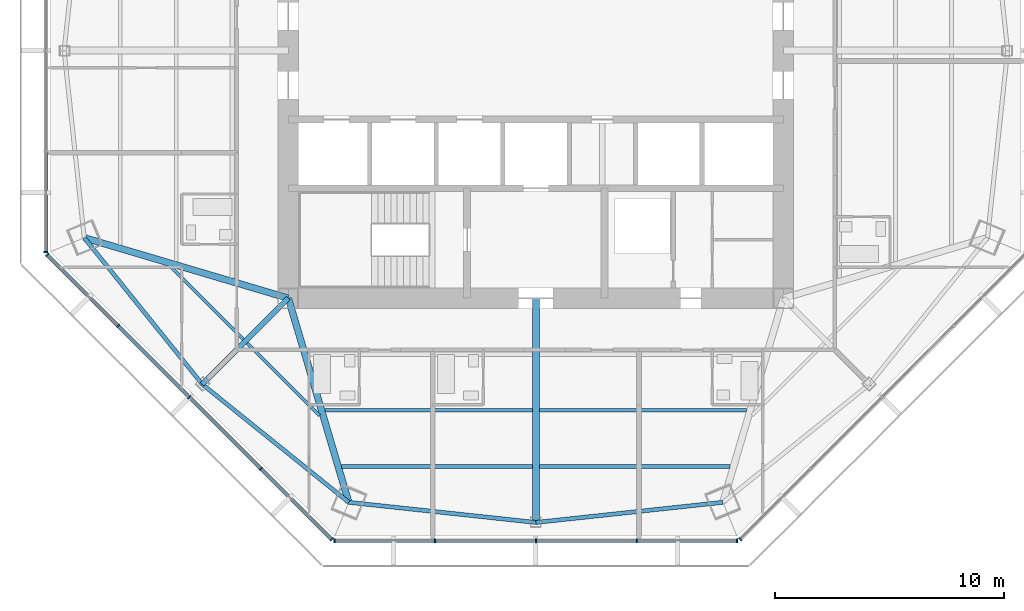
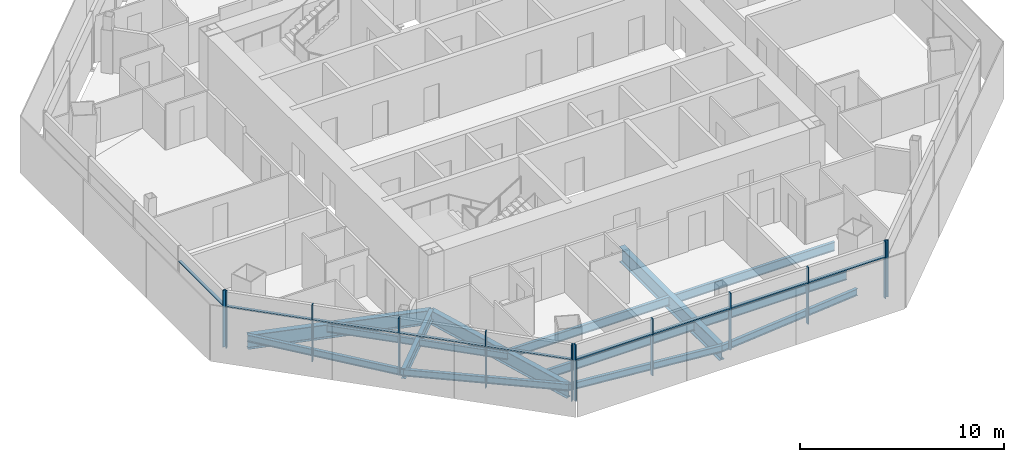
# One storey, part 2 of 15: 21 members, 14 beams, 4 elements without a shape of their own.
"""IFC4 building model written with IfcOpenShell, lengths in metres."""

from ifc_helpers import new_model, si_unit, direction, frame, origin, origin_2d, place, context, subcontext, project, spatial, rectangle, i_section, extrude, source, transform, mapped, material, material_profile, profile_set, type_object, type_shapes, element, aggregate, save


model = new_model("IFC4")

# Units and contexts
model_context = context("Model", 3, precision=1e-05, world=origin(), true_north=direction((0.0, 1.0)))
body_context = subcontext(model_context, "Body", "Model", "MODEL_VIEW")
ifc_project = project(units=[si_unit("LENGTHUNIT", "METRE"), si_unit("AREAUNIT", "SQUARE_METRE"), si_unit("VOLUMEUNIT", "CUBIC_METRE"), si_unit("PLANEANGLEUNIT", "RADIAN"), si_unit("MASSUNIT", "GRAM", prefix="KILO")], contexts=[model_context])

# Site, building, storey
site_placement = place(None, origin())
site = spatial("IfcSite", under=ifc_project, at=site_placement, CompositionType="ELEMENT")
building_placement = place(site_placement, origin())
building = spatial("IfcBuilding", under=site, at=building_placement, Name="Mashrafa Tower", CompositionType="ELEMENT")
storey_placement = place(building_placement, frame((0.0, 0.0, 234.60009765625)))
storey = spatial("IfcBuildingStorey", under=building, at=storey_placement, Name="L55", CompositionType="ELEMENT", Elevation=234.60009765625)

# Beams
ifc_material_1 = material(Name="Steel ASTM A992", Category="steel")
ifc_material_profile_1 = material_profile(ifc_material_1, i_section(OverallWidth=0.140380859375, OverallDepth=0.40380859375, WebThickness=0.007080078125, FlangeThickness=0.01123046875, FilletRadius=0.01025390625, at=origin_2d()), Name="W16X31")
ifc_profile_set_1 = profile_set([ifc_material_profile_1], Name="Steel ASTM A992")
beam_type_1 = type_object("IfcBeamType", Name="Beam W16X31", PredefinedType="BEAM", material=ifc_profile_set_1)
for number, where, z_axis, x_axis, name in (
    (1, (-12.75830078125, -12.5966796875, -0.402099609375), (-0.707106781187, 0.707106781187, 0.0), (-0.707106781187, -0.707106781187, 0.0), "Floor beam L55 008"),
    (2, (-9.436279296875, -15.918701171875, -0.402099609375), (-0.707106781187, 0.707106781187, 0.0), (-0.707106781187, -0.707106781187, 0.0), "Floor beam L55 012"),
):
    element("IfcBeam", number, at=place(storey_placement, frame(where, z_axis=z_axis, x_axis=x_axis)), inside=storey, type_object=beam_type_1, Name=name, PredefinedType="BEAM", context=body_context, shape_type="SweptSolid", body=[
        extrude(i_section(OverallWidth=0.140380859375, OverallDepth=0.40380859375, WebThickness=0.007080078125, FlangeThickness=0.01123046875, FilletRadius=0.01025390625, at=origin_2d()), origin(), (0.0, 0.0, 1.0), 4.469482421875),
    ])
ifc_material_2 = material(Name="Steel ASTM A992", Category="steel")
ifc_material_profile_2 = material_profile(ifc_material_2, i_section(OverallWidth=0.177734375, OverallDepth=0.406494140625, WebThickness=0.0078125, FlangeThickness=0.012939453125, FilletRadius=0.01025390625, at=origin_2d()), Name="W16X40")
ifc_profile_set_2 = profile_set([ifc_material_profile_2], Name="Steel ASTM A992")
beam_type_2 = type_object("IfcBeamType", Name="Beam W16X40", PredefinedType="BEAM", material=ifc_profile_set_2)
for number, where, z_axis, x_axis, name in (
    (3, (-19.705810546875, -8.162353515625, -0.4033203125), (0.627425720942, -0.778676418482, 0.0), (0.778676418482, 0.627425720942, 0.0), "Spandrel beam L55 050"),
    (4, (-14.554931640625, -14.554931640625, -0.4033203125), (0.778676418482, -0.627425720942, 0.0), (0.627425720942, 0.778676418482, 0.0), "Spandrel beam L55 052"),
    (5, (-8.162353515625, -19.705810546875, -0.4033203125), (0.994262142726, -0.106970984578, 0.0), (0.106970984578, 0.994262142726, 0.0), "Spandrel beam L55 054"),
    (6, (0.0, -20.583984375, -0.4033203125), (0.994262142726, 0.106970984578, 0.0), (-0.106970984578, 0.994262142726, 0.0), "Spandrel beam L55 056"),
):
    element("IfcBeam", number, at=place(storey_placement, frame(where, z_axis=z_axis, x_axis=x_axis)), inside=storey, type_object=beam_type_2, Name=name, PredefinedType="BEAM", context=body_context, shape_type="SweptSolid", body=[
        extrude(i_section(OverallWidth=0.177734375, OverallDepth=0.406494140625, WebThickness=0.0078125, FlangeThickness=0.012939453125, FilletRadius=0.01025390625, at=origin_2d()), origin(), (0.0, 0.0, 1.0), 8.20947265625),
    ])
ifc_material_3 = material(Name="Steel ASTM A992", Category="steel")
ifc_material_profile_3 = material_profile(ifc_material_3, i_section(OverallWidth=0.1650390625, OverallDepth=0.52587890625, WebThickness=0.0087890625, FlangeThickness=0.011474609375, FilletRadius=0.0126953125, at=origin_2d()), Name="W21X44")
ifc_profile_set_3 = profile_set([ifc_material_profile_3], Name="Steel ASTM A992")
beam_type_3 = type_object("IfcBeamType", Name="Beam W21X44", PredefinedType="BEAM", material=ifc_profile_set_3)
for number, where, z_axis, x_axis, name in (
    (7, (-0.15380859375, -15.69189453125, -0.462890625), (-1.0, 0.0, 0.0), (0.0, -1.0, 0.0), "Floor beam L55 015"),
    (8, (9.198974609375, -15.69189453125, -0.462890625), (-1.0, 0.0, 0.0), (0.0, -1.0, 0.0), "Floor beam L55 022"),
):
    element("IfcBeam", number, at=place(storey_placement, frame(where, z_axis=z_axis, x_axis=x_axis)), inside=storey, type_object=beam_type_3, Name=name, PredefinedType="BEAM", context=body_context, shape_type="SweptSolid", body=[
        extrude(i_section(OverallWidth=0.1650390625, OverallDepth=0.52587890625, WebThickness=0.0087890625, FlangeThickness=0.011474609375, FilletRadius=0.0126953125, at=origin_2d()), origin(), (0.0, 0.0, 1.0), 9.045166015625),
    ])
ifc_material_4 = material(Name="Steel ASTM A992", Category="steel")
ifc_material_profile_4 = material_profile(ifc_material_4, i_section(OverallWidth=0.165771484375, OverallDepth=0.5283203125, WebThickness=0.009765625, FlangeThickness=0.013671875, FilletRadius=0.012939453125, at=origin_2d()), Name="W21X50")
ifc_profile_set_4 = profile_set([ifc_material_profile_4], Name="Steel ASTM A992")
beam_type_4 = type_object("IfcBeamType", Name="Beam W21X50", PredefinedType="BEAM", material=ifc_profile_set_4)
for number, where, z_axis, x_axis, name in (
    (9, (-0.15380859375, -18.137939453125, -0.46435546875), (-1.0, 0.0, 0.0), (0.0, -1.0, 0.0), "Floor beam L55 014"),
    (10, (8.474365234375, -18.137939453125, -0.46435546875), (-1.0, 0.0, 0.0), (0.0, -1.0, 0.0), "Floor beam L55 020"),
):
    element("IfcBeam", number, at=place(storey_placement, frame(where, z_axis=z_axis, x_axis=x_axis)), inside=storey, type_object=beam_type_4, Name=name, PredefinedType="BEAM", context=body_context, shape_type="SweptSolid", body=[
        extrude(i_section(OverallWidth=0.165771484375, OverallDepth=0.5283203125, WebThickness=0.009765625, FlangeThickness=0.013671875, FilletRadius=0.012939453125, at=origin_2d()), origin(), (0.0, 0.0, 1.0), 8.320556640625),
    ])
ifc_material_5 = material(Name="Steel ASTM A992", Category="steel")
ifc_material_profile_5 = material_profile(ifc_material_5, i_section(OverallWidth=0.228271484375, OverallDepth=0.607177734375, WebThickness=0.01123046875, FlangeThickness=0.017333984375, FilletRadius=0.0126953125, at=origin_2d()), Name="W24X76")
ifc_profile_set_5 = profile_set([ifc_material_profile_5], Name="Steel ASTM A992")
beam_type_5 = type_object("IfcBeamType", Name="Beam W24X76", PredefinedType="BEAM", material=ifc_profile_set_5)
beam_1_placement = place(storey_placement, frame((-10.800048828125, -10.800048828125, -0.503662109375), z_axis=(-0.707106781187, -0.707106781187, 0.0), x_axis=(0.707106781187, -0.707106781187, 0.0)))
element("IfcBeam", 11, at=beam_1_placement, inside=storey, type_object=beam_type_5, Name="Radial girder L55 034", PredefinedType="BEAM", context=body_context, shape_type="SweptSolid", body=[
    extrude(i_section(OverallWidth=0.228271484375, OverallDepth=0.607177734375, WebThickness=0.01123046875, FlangeThickness=0.017333984375, FilletRadius=0.0126953125, at=origin_2d()), origin(), (0.0, 0.0, 1.0), 5.310302734375),
])
ifc_material_6 = material(Name="Steel ASTM A992", Category="steel")
ifc_material_profile_6 = material_profile(ifc_material_6, i_section(OverallWidth=0.2919921875, OverallDepth=0.845703125, WebThickness=0.015380859375, FlangeThickness=0.0244140625, FilletRadius=0.017333984375, at=origin_2d()), Name="W33X141")
ifc_profile_set_6 = profile_set([ifc_material_profile_6], Name="Steel ASTM A992")
beam_type_6 = type_object("IfcBeamType", Name="Beam W33X141", PredefinedType="BEAM", material=ifc_profile_set_6)
for number, where, z_axis, x_axis, name in (
    (12, (-10.800048828125, -10.800048828125, -0.623046875), (-0.958828866985, 0.283984513375, 0.0), (-0.283984513375, -0.958828866985, 0.0), "Radial girder L55 033"),
    (13, (-10.800048828125, -10.800048828125, -0.623046875), (0.283984513375, -0.958828866985, 0.0), (0.958828866985, 0.283984513375, 0.0), "Radial girder L55 035"),
):
    element("IfcBeam", number, at=place(storey_placement, frame(where, z_axis=z_axis, x_axis=x_axis)), inside=storey, type_object=beam_type_6, Name=name, PredefinedType="BEAM", context=body_context, shape_type="SweptSolid", body=[
        extrude(i_section(OverallWidth=0.2919921875, OverallDepth=0.845703125, WebThickness=0.015380859375, FlangeThickness=0.0244140625, FilletRadius=0.017333984375, at=origin_2d()), origin(), (0.0, 0.0, 1.0), 9.2880859375),
    ])
ifc_material_7 = material(Name="Steel ASTM A992", Category="steel")
ifc_material_profile_7 = material_profile(ifc_material_7, i_section(OverallWidth=0.307373046875, OverallDepth=0.927001953125, WebThickness=0.01953125, FlangeThickness=0.031982421875, FilletRadius=0.01904296875, at=origin_2d()), Name="W36X194")
ifc_profile_set_7 = profile_set([ifc_material_profile_7], Name="Steel ASTM A992")
beam_type_7 = type_object("IfcBeamType", Name="Beam W36X194", PredefinedType="BEAM", material=ifc_profile_set_7)
beam_2_placement = place(storey_placement, frame((0.0, -10.800048828125, -0.66357421875), z_axis=(0.0, -1.0, 0.0), x_axis=(1.0, 0.0, 0.0)))
element("IfcBeam", 14, at=beam_2_placement, inside=storey, type_object=beam_type_7, Name="Radial girder L55 040", PredefinedType="BEAM", context=body_context, shape_type="SweptSolid", body=[
    extrude(i_section(OverallWidth=0.307373046875, OverallDepth=0.927001953125, WebThickness=0.01953125, FlangeThickness=0.031982421875, FilletRadius=0.01904296875, at=origin_2d()), origin(), (0.0, 0.0, 1.0), 9.783935546875),
])

# Curtain wall, member
ifc_material_8 = material(Name="Unitised aluminium curtain wall", Category="aluminium")
curtain_wall_type = type_object("IfcCurtainWallType", Name="Apartment curtain wall, zone 3 CW-C 180 deep", PredefinedType="NOTDEFINED", material=ifc_material_8)
curtain_wall_1_placement = place(storey_placement, origin())
curtain_wall_1 = element("IfcCurtainWall", 15, at=curtain_wall_1_placement, inside=storey, type_object=curtain_wall_type, Name="Apartment curtain wall, zone 3 L55 west", PredefinedType="NOTDEFINED")
ifc_material_9 = material(Name="Extruded aluminium mullion", Category="aluminium")
ifc_material_profile_8 = material_profile(ifc_material_9, rectangle(XDim=0.179931640625, YDim=0.06005859375, at=origin_2d()), Name="Mullion 60x180")
ifc_profile_set_8 = profile_set([ifc_material_profile_8], Name="Extruded aluminium mullion")
member_type_1 = type_object("IfcMemberType", Name="Mullion CW-C 60 x 180", PredefinedType="MULLION", material=ifc_profile_set_8)
shared_shape_1 = source(origin(), body_context, "Body", "SweptSolid", [
    extrude(rectangle(XDim=0.179931640625, YDim=0.06005859375, at=origin_2d()), origin(), (0.0, 0.0, 1.0), 3.39990234375),
])
type_shapes(member_type_1, [shared_shape_1])
member_1_placement = place(storey_placement, frame((-21.378173828125, -8.77783203125, 0.0), z_axis=(0.0, 0.0, 1.0), x_axis=(1.0, 0.0, 0.0)))
member_1 = element("IfcMember", 16, at=member_1_placement, type_object=member_type_1, Name="CW-C mullion 5", PredefinedType="MULLION", context=body_context, shape_type="MappedRepresentation", body=[
    mapped(shared_shape_1, transform((0.0, 0.0, 0.0))),
])

# Curtain wall, members
curtain_wall_2_placement = place(storey_placement, origin())
curtain_wall_2 = element("IfcCurtainWall", 17, at=curtain_wall_2_placement, inside=storey, type_object=curtain_wall_type, Name="Apartment curtain wall, zone 3 L55 south-west", PredefinedType="NOTDEFINED")
member_2_placement = place(storey_placement, frame((-21.323486328125, -8.909912109375, 0.0), z_axis=(0.0, 0.0, 1.0), x_axis=(0.707106781187, 0.707106781187, 0.0)))
member_2 = element("IfcMember", 18, at=member_2_placement, type_object=member_type_1, Name="CW-C mullion 1", PredefinedType="MULLION", context=body_context, shape_type="MappedRepresentation", body=[
    mapped(shared_shape_1, transform((0.0, 0.0, 0.0))),
])
member_3_placement = place(storey_placement, frame((-18.230712890625, -12.002685546875, 0.0), z_axis=(0.0, 0.0, 1.0), x_axis=(0.707106781187, 0.707106781187, 0.0)))
member_3 = element("IfcMember", 19, at=member_3_placement, type_object=member_type_1, Name="CW-C mullion 2", PredefinedType="MULLION", context=body_context, shape_type="MappedRepresentation", body=[
    mapped(shared_shape_1, transform((0.0, 0.0, 0.0))),
])
member_4_placement = place(storey_placement, frame((-15.11669921875, -15.11669921875, 0.0), z_axis=(0.0, 0.0, 1.0), x_axis=(0.707106781187, 0.707106781187, 0.0)))
member_4 = element("IfcMember", 20, at=member_4_placement, type_object=member_type_1, Name="CW-C mullion 3", PredefinedType="MULLION", context=body_context, shape_type="MappedRepresentation", body=[
    mapped(shared_shape_1, transform((0.0, 0.0, 0.0))),
])
member_5_placement = place(storey_placement, frame((-12.002685546875, -18.230712890625, 0.0), z_axis=(0.0, 0.0, 1.0), x_axis=(0.707106781187, 0.707106781187, 0.0)))
member_5 = element("IfcMember", 21, at=member_5_placement, type_object=member_type_1, Name="CW-C mullion 4", PredefinedType="MULLION", context=body_context, shape_type="MappedRepresentation", body=[
    mapped(shared_shape_1, transform((0.0, 0.0, 0.0))),
])
member_6_placement = place(storey_placement, frame((-8.909912109375, -21.323486328125, 0.0), z_axis=(0.0, 0.0, 1.0), x_axis=(0.707106781187, 0.707106781187, 0.0)))
member_6 = element("IfcMember", 22, at=member_6_placement, type_object=member_type_1, Name="CW-C mullion 5", PredefinedType="MULLION", context=body_context, shape_type="MappedRepresentation", body=[
    mapped(shared_shape_1, transform((0.0, 0.0, 0.0))),
])

curtain_wall_3_placement = place(storey_placement, origin())
curtain_wall_3 = element("IfcCurtainWall", 23, at=curtain_wall_3_placement, inside=storey, type_object=curtain_wall_type, Name="Apartment curtain wall, zone 3 L55 south", PredefinedType="NOTDEFINED")
member_7_placement = place(storey_placement, frame((-8.77783203125, -21.378173828125, 0.0), z_axis=(0.0, 0.0, 1.0), x_axis=(0.0, 1.0, 0.0)))
member_7 = element("IfcMember", 24, at=member_7_placement, type_object=member_type_1, Name="CW-C mullion 1", PredefinedType="MULLION", context=body_context, shape_type="MappedRepresentation", body=[
    mapped(shared_shape_1, transform((0.0, 0.0, 0.0))),
])
member_8_placement = place(storey_placement, frame((-4.404052734375, -21.378173828125, 0.0), z_axis=(0.0, 0.0, 1.0), x_axis=(0.0, 1.0, 0.0)))
member_8 = element("IfcMember", 25, at=member_8_placement, type_object=member_type_1, Name="CW-C mullion 2", PredefinedType="MULLION", context=body_context, shape_type="MappedRepresentation", body=[
    mapped(shared_shape_1, transform((0.0, 0.0, 0.0))),
])
member_9_placement = place(storey_placement, frame((0.0, -21.378173828125, 0.0), z_axis=(0.0, 0.0, 1.0), x_axis=(0.0, 1.0, 0.0)))
member_9 = element("IfcMember", 26, at=member_9_placement, type_object=member_type_1, Name="CW-C mullion 3", PredefinedType="MULLION", context=body_context, shape_type="MappedRepresentation", body=[
    mapped(shared_shape_1, transform((0.0, 0.0, 0.0))),
])
member_10_placement = place(storey_placement, frame((4.404052734375, -21.378173828125, 0.0), z_axis=(0.0, 0.0, 1.0), x_axis=(0.0, 1.0, 0.0)))
member_10 = element("IfcMember", 27, at=member_10_placement, type_object=member_type_1, Name="CW-C mullion 4", PredefinedType="MULLION", context=body_context, shape_type="MappedRepresentation", body=[
    mapped(shared_shape_1, transform((0.0, 0.0, 0.0))),
])
member_11_placement = place(storey_placement, frame((8.77783203125, -21.378173828125, 0.0), z_axis=(0.0, 0.0, 1.0), x_axis=(0.0, 1.0, 0.0)))
member_11 = element("IfcMember", 28, at=member_11_placement, type_object=member_type_1, Name="CW-C mullion 5", PredefinedType="MULLION", context=body_context, shape_type="MappedRepresentation", body=[
    mapped(shared_shape_1, transform((0.0, 0.0, 0.0))),
])

# Curtain wall, member
curtain_wall_4_placement = place(storey_placement, origin())
curtain_wall_4 = element("IfcCurtainWall", 29, at=curtain_wall_4_placement, inside=storey, type_object=curtain_wall_type, Name="Apartment curtain wall, zone 3 L55 south-east", PredefinedType="NOTDEFINED")
member_12_placement = place(storey_placement, frame((8.909912109375, -21.323486328125, 0.0), z_axis=(0.0, 0.0, 1.0), x_axis=(-0.707106781187, 0.707106781187, 0.0)))
member_12 = element("IfcMember", 30, at=member_12_placement, type_object=member_type_1, Name="CW-C mullion 1", PredefinedType="MULLION", context=body_context, shape_type="MappedRepresentation", body=[
    mapped(shared_shape_1, transform((0.0, 0.0, 0.0))),
])
aggregate(curtain_wall_4, [member_12])

# Member
ifc_material_10 = material(Name="Extruded aluminium transom", Category="aluminium")
ifc_material_profile_9 = material_profile(ifc_material_10, rectangle(XDim=0.14404296875, YDim=0.074951171875, at=origin_2d()), Name="Transom 75x144")
ifc_profile_set_9 = profile_set([ifc_material_profile_9], Name="Extruded aluminium transom")
member_type_2 = type_object("IfcMemberType", Name="Transom CW-C 75 x 144", PredefinedType="MULLION", material=ifc_profile_set_9)
shared_shape_2 = source(origin(), body_context, "Body", "SweptSolid", [
    extrude(rectangle(XDim=0.14404296875, YDim=0.074951171875, at=origin_2d()), origin(), (0.0, 0.0, 1.0), 4.31396484375),
])
member_13_placement = place(storey_placement, frame((-21.378173828125, -4.433837890625, 2.5), z_axis=(0.0, -1.0, 0.0), x_axis=(1.0, 0.0, 0.0)))
member_13 = element("IfcMember", 31, at=member_13_placement, type_object=member_type_2, Name="CW-C transom 4", PredefinedType="MULLION", context=body_context, shape_type="MappedRepresentation", body=[
    mapped(shared_shape_2, transform((0.0, 0.0, 0.0))),
])

aggregate(curtain_wall_1, [member_1, member_13])

member_14_placement = place(storey_placement, frame((-21.30224609375, -8.930908203125, 2.5), z_axis=(0.707078483899, -0.707135077342, 0.0), x_axis=(0.707135077342, 0.707078483899, 0.0)))
member_14 = element("IfcMember", 32, at=member_14_placement, type_object=member_type_2, Name="CW-C transom 1", PredefinedType="MULLION", context=body_context, shape_type="MappedRepresentation", body=[
    mapped(shared_shape_2, transform((0.0, 0.0, 0.0))),
])

member_15_placement = place(storey_placement, frame((-11.9814453125, -18.251953125, 2.5), z_axis=(0.707135077342, -0.707078483899, 0.0), x_axis=(0.707078483899, 0.707135077342, 0.0)))
member_15 = element("IfcMember", 33, at=member_15_placement, type_object=member_type_2, Name="CW-C transom 4", PredefinedType="MULLION", context=body_context, shape_type="MappedRepresentation", body=[
    mapped(shared_shape_2, transform((0.0, 0.0, 0.0))),
])

member_16_placement = place(storey_placement, frame((-8.747802734375, -21.378173828125, 2.5), z_axis=(1.0, 0.0, 0.0), x_axis=(0.0, 1.0, 0.0)))
member_16 = element("IfcMember", 34, at=member_16_placement, type_object=member_type_2, Name="CW-C transom 1", PredefinedType="MULLION", context=body_context, shape_type="MappedRepresentation", body=[
    mapped(shared_shape_2, transform((0.0, 0.0, 0.0))),
])

member_17_placement = place(storey_placement, frame((4.433837890625, -21.378173828125, 2.5), z_axis=(1.0, 0.0, 0.0), x_axis=(0.0, 1.0, 0.0)))
member_17 = element("IfcMember", 35, at=member_17_placement, type_object=member_type_2, Name="CW-C transom 4", PredefinedType="MULLION", context=body_context, shape_type="MappedRepresentation", body=[
    mapped(shared_shape_2, transform((0.0, 0.0, 0.0))),
])

shared_shape_3 = source(origin(), body_context, "Body", "SweptSolid", [
    extrude(rectangle(XDim=0.14404296875, YDim=0.074951171875, at=origin_2d()), origin(), (0.0, 0.0, 1.0), 4.343994140625),
])
member_18_placement = place(storey_placement, frame((-4.3740234375, -21.378173828125, 2.5), z_axis=(1.0, 0.0, 0.0), x_axis=(0.0, 1.0, 0.0)))
member_18 = element("IfcMember", 36, at=member_18_placement, type_object=member_type_2, Name="CW-C transom 2", PredefinedType="MULLION", context=body_context, shape_type="MappedRepresentation", body=[
    mapped(shared_shape_3, transform((0.0, 0.0, 0.0))),
])

member_19_placement = place(storey_placement, frame((0.030029296875, -21.378173828125, 2.5), z_axis=(1.0, 0.0, 0.0), x_axis=(0.0, 1.0, 0.0)))
member_19 = element("IfcMember", 37, at=member_19_placement, type_object=member_type_2, Name="CW-C transom 3", PredefinedType="MULLION", context=body_context, shape_type="MappedRepresentation", body=[
    mapped(shared_shape_3, transform((0.0, 0.0, 0.0))),
])

aggregate(curtain_wall_3, [member_7, member_8, member_9, member_10, member_11, member_16, member_18, member_19, member_17])

shared_shape_4 = source(origin(), body_context, "Body", "SweptSolid", [
    extrude(rectangle(XDim=0.14404296875, YDim=0.074951171875, at=origin_2d()), origin(), (0.0, 0.0, 1.0), 4.34375),
])
type_shapes(member_type_2, [shared_shape_2, shared_shape_3, shared_shape_4])
member_20_placement = place(storey_placement, frame((-18.20947265625, -12.02392578125, 2.5), z_axis=(0.707106781187, -0.707106781187, 0.0), x_axis=(0.707106781187, 0.707106781187, 0.0)))
member_20 = element("IfcMember", 38, at=member_20_placement, type_object=member_type_2, Name="CW-C transom 2", PredefinedType="MULLION", context=body_context, shape_type="MappedRepresentation", body=[
    mapped(shared_shape_4, transform((0.0, 0.0, 0.0))),
])

member_21_placement = place(storey_placement, frame((-15.095458984375, -15.137939453125, 2.5), z_axis=(0.707106781187, -0.707106781187, 0.0), x_axis=(0.707106781187, 0.707106781187, 0.0)))
member_21 = element("IfcMember", 39, at=member_21_placement, type_object=member_type_2, Name="CW-C transom 3", PredefinedType="MULLION", context=body_context, shape_type="MappedRepresentation", body=[
    mapped(shared_shape_4, transform((0.0, 0.0, 0.0))),
])

aggregate(curtain_wall_2, [member_2, member_3, member_4, member_5, member_6, member_14, member_20, member_21, member_15])

save(model, "model.ifc")
